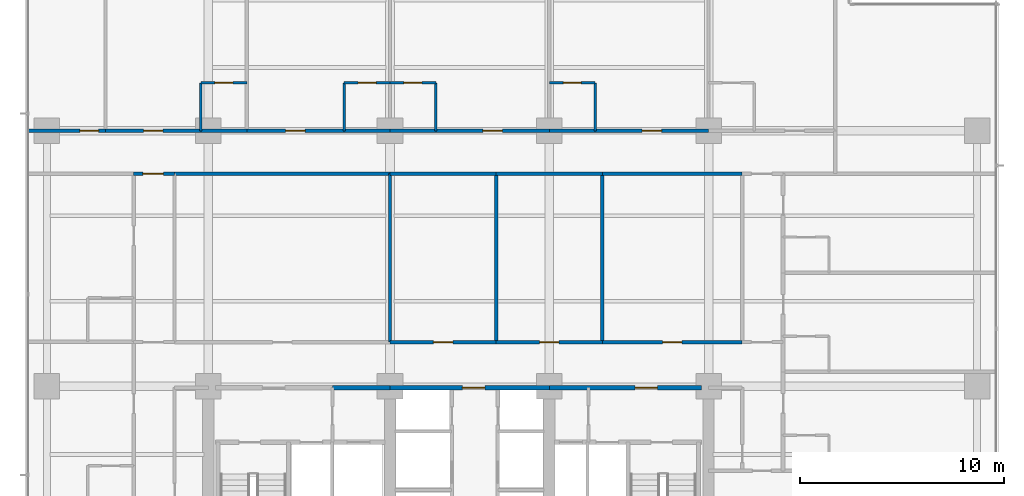
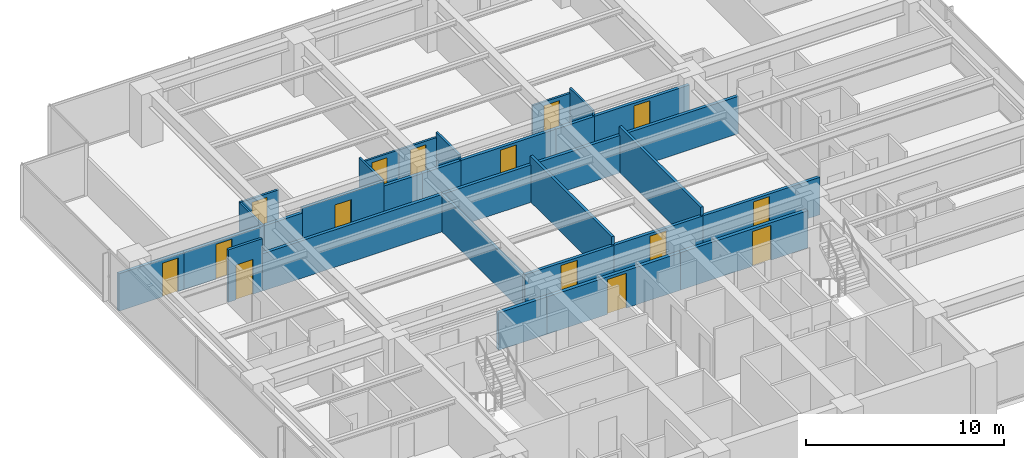
# One storey, part 10 of 17: 31 walls, 15 doors, 15 openings.
"""IFC4 building model written with IfcOpenShell, lengths in metres."""

import ifcopenshell
import ifcopenshell.guid

model = None  # the IFC model being written
_history = None  # IfcOwnerHistory: only IFC2X3 demands one
_inside = {}  # id of a spatial element -> (the spatial element, [elements in it])
_under = {}  # id of a project, library or spatial element -> (it, [spatial elements below it])
_declared = {}  # id of a project -> (the project, [libraries it declares])
_typed = {}  # id of a type object -> (the type object, [elements of that type])
_made_of = {}  # id of a material, layer set ... -> (it, [elements and type objects made of it])


def new_model(schema):
    """Start an empty IFC model of exactly this schema.

    Asked for "IFC4X3", IfcOpenShell would pick the latest addendum, in which some entities
    have other attributes; the version numbers below select the first issue.
    IFC2X3 requires an IfcOwnerHistory on every rooted entity: one is made here for all.
    """
    global model, _history
    if schema == "IFC4X3":
        model = ifcopenshell.file(schema_version=(4, 3, 0, 0))
    else:
        model = ifcopenshell.file(schema=schema)
    _inside.clear()
    _under.clear()
    _declared.clear()
    _typed.clear()
    _made_of.clear()
    _history = None
    if model.schema == "IFC2X3":
        org = make("IfcOrganization", Name="unknown")
        user = make(
            "IfcPersonAndOrganization",
            ThePerson=make("IfcPerson", FamilyName="unknown"),
            TheOrganization=org,
        )
        app = make(
            "IfcApplication",
            ApplicationDeveloper=org,
            Version="unknown",
            ApplicationFullName="unknown",
            ApplicationIdentifier="unknown",
        )
        _history = make(
            "IfcOwnerHistory",
            OwningUser=user,
            OwningApplication=app,
            ChangeAction="ADDED",
            CreationDate=0,
        )
    return model


def make(cls, **values):
    """One entity of the class cls with the attributes given. An attribute that is None is left unset."""
    return model.create_entity(
        cls, **{name: value for name, value in values.items() if value is not None}
    )


def rooted(cls, **values):
    """An entity with a GlobalId (a new one), such as an element, a storey or a relation."""
    return make(cls, GlobalId=ifcopenshell.guid.new(), OwnerHistory=_history, **values)


def si_unit(unit_type, name, prefix=None):
    """IfcSIUnit, for example si_unit("LENGTHUNIT", "METRE", prefix="MILLI")."""
    return make("IfcSIUnit", UnitType=unit_type, Prefix=prefix, Name=name)


def assignment(units):
    """IfcUnitAssignment: the units of a project."""
    return None if units is None else make("IfcUnitAssignment", Units=units)


def point(xyz):
    """IfcCartesianPoint."""
    return None if xyz is None else make("IfcCartesianPoint", Coordinates=xyz)


def direction(xyz):
    """IfcDirection."""
    return None if xyz is None else make("IfcDirection", DirectionRatios=xyz)


def frame(location, z_axis=None, x_axis=None):
    """IfcAxis2Placement3D, a coordinate frame: its origin and axes. An axis left out is left unset."""
    return make(
        "IfcAxis2Placement3D",
        Location=point(location),
        Axis=direction(z_axis),
        RefDirection=direction(x_axis),
    )


def frame_2d(location, x_axis=None):
    """IfcAxis2Placement2D, a coordinate frame in the plane: its origin and x axis."""
    return make(
        "IfcAxis2Placement2D", Location=point(location), RefDirection=direction(x_axis)
    )


def origin():
    """The frame at (0, 0, 0) with its axes left unset."""
    return frame((0.0, 0.0, 0.0))


def place(relative_to, where):
    """IfcLocalPlacement: puts the frame where relative to a parent placement (None: the world)."""
    return make(
        "IfcLocalPlacement", PlacementRelTo=relative_to, RelativePlacement=where
    )


def context(
    kind, dimensions, precision=None, world=None, true_north=None, identifier=None
):
    """IfcGeometricRepresentationContext, for example the 3D "Model" context."""
    return make(
        "IfcGeometricRepresentationContext",
        ContextIdentifier=identifier,
        ContextType=kind,
        CoordinateSpaceDimension=dimensions,
        Precision=precision,
        WorldCoordinateSystem=world,
        TrueNorth=true_north,
    )


def subcontext(parent, identifier, kind, view, scale=None):
    """IfcGeometricRepresentationSubContext, for example "Body" below "Model"."""
    return make(
        "IfcGeometricRepresentationSubContext",
        ContextIdentifier=identifier,
        ContextType=kind,
        ParentContext=parent,
        TargetScale=scale,
        TargetView=view,
    )


def project(units=None, contexts=None):
    """IfcProject with its units and contexts."""
    return rooted(
        "IfcProject",
        Name="project",
        RepresentationContexts=contexts,
        UnitsInContext=assignment(units),
    )


def spatial(cls, under=None, at=None, **own):
    """A site, building, storey or space (cls), placed at a placement, below another one or the project."""
    s = rooted(cls, ObjectPlacement=at, **own)
    if under is not None:
        _under.setdefault(under.id(), (under, []))[1].append(s)
    return s


def profile(cls, at=None, kind="AREA", **sizes):
    """A parametric profile (cls). Its sizes go by their IFC names, for example OverallWidth=200.0."""
    return make(cls, ProfileType=kind, Position=at, **sizes)


def rectangle(**sizes):
    """IfcRectangleProfileDef."""
    return profile("IfcRectangleProfileDef", **sizes)


def extrude(swept, where, along, depth):
    """IfcExtrudedAreaSolid: the profile swept, set in the frame where, extruded along a direction by depth."""
    return make(
        "IfcExtrudedAreaSolid",
        SweptArea=swept,
        Position=where,
        ExtrudedDirection=direction(along),
        Depth=depth,
    )


def shape(context_of_items, identifier, shape_type, items):
    """IfcShapeRepresentation: the items that make up one representation, for example the "Body"."""
    return make(
        "IfcShapeRepresentation",
        ContextOfItems=context_of_items,
        RepresentationIdentifier=identifier,
        RepresentationType=shape_type,
        Items=items,
    )


def material(Name=None, Category=None):
    """IfcMaterial."""
    return make("IfcMaterial", Name=Name, Category=Category)


def layer(
    of_material, thickness, ventilated=None, Name=None, Category=None, Priority=None
):
    """IfcMaterialLayer: one layer of a wall or slab, of a material (None: an air gap)."""
    return make(
        "IfcMaterialLayer",
        Material=of_material,
        LayerThickness=thickness,
        IsVentilated=ventilated,
        Name=Name,
        Category=Category,
        Priority=Priority,
    )


def layer_set(layers, Name=None):
    """IfcMaterialLayerSet."""
    return make("IfcMaterialLayerSet", MaterialLayers=layers, LayerSetName=Name)


def made_of(thing, what):
    """Note that an element or type object is made of a material, layer set ...; save() writes the relation."""
    if what is not None:
        _made_of.setdefault(what.id(), (what, []))[1].append(thing)
    return thing


def type_object(cls, material=None, **own):
    """A type object (cls), such as IfcWallType, which elements share."""
    return made_of(rooted(cls, **own), material)


def element(
    cls,
    number,
    at=None,
    inside=None,
    cuts=None,
    type_object=None,
    material=None,
    context=None,
    identifier="Body",
    shape_type=None,
    held_by="IfcProductDefinitionShape",
    body=None,
    shapes=None,
    **own,
):
    """One element of the class cls, such as IfcWall. Its Tag is "e" and its number.

    at: its placement. inside: the storey or other place that contains it. cuts: it is an
    opening in that element (IfcRelVoidsElement). A single representation is given by context,
    identifier, shape_type and body (its items); several are given by shapes. held_by: the class
    of the entity that holds the representations. save() writes the other relations.
    """
    e = rooted(cls, Tag="e%d" % number, ObjectPlacement=at, **own)
    if body is not None:
        shapes = [shape(context, identifier, shape_type, body)]
    if shapes is not None:
        e.Representation = make(held_by, Representations=shapes)
    if inside is not None:
        _inside.setdefault(inside.id(), (inside, []))[1].append(e)
    if cuts is not None:
        rooted(
            "IfcRelVoidsElement", RelatingBuildingElement=cuts, RelatedOpeningElement=e
        )
    if type_object is not None:
        _typed.setdefault(type_object.id(), (type_object, []))[1].append(e)
    return made_of(e, material)


def fill(opening, filler):
    """IfcRelFillsElement: the door or window that sits in an opening."""
    return rooted(
        "IfcRelFillsElement",
        RelatingOpeningElement=opening,
        RelatedBuildingElement=filler,
    )


def aggregate(whole, parts):
    """IfcRelAggregates: a whole, such as a stair, and the parts it consists of."""
    return rooted("IfcRelAggregates", RelatingObject=whole, RelatedObjects=parts)


def save(model, path):
    """Write the relations noted so far, then the file.

    IfcRelAggregates (storeys below a building ...), IfcRelContainedInSpatialStructure (elements
    in a storey), IfcRelDefinesByType, IfcRelAssociatesMaterial and IfcRelDeclares: one each for
    every whole, place, type object, material and project.
    """
    for whole, parts in _under.values():
        aggregate(whole, parts)
    for where, things in _inside.values():
        rooted(
            "IfcRelContainedInSpatialStructure",
            RelatedElements=things,
            RelatingStructure=where,
        )
    for kind, things in _typed.values():
        rooted("IfcRelDefinesByType", RelatedObjects=things, RelatingType=kind)
    for what, things in _made_of.values():
        rooted("IfcRelAssociatesMaterial", RelatedObjects=things, RelatingMaterial=what)
    for by, libraries in _declared.values():
        rooted("IfcRelDeclares", RelatingContext=by, RelatedDefinitions=libraries)
    model.write(path)


model = new_model("IFC4")

# Units and contexts
model_context = context("Model", 3, precision=1e-05, world=origin(), true_north=direction((0.0, 1.0)))
body_context = subcontext(model_context, "Body", "Model", "MODEL_VIEW")
ifc_project = project(units=[si_unit("LENGTHUNIT", "METRE"), si_unit("AREAUNIT", "SQUARE_METRE"), si_unit("VOLUMEUNIT", "CUBIC_METRE"), si_unit("PLANEANGLEUNIT", "RADIAN"), si_unit("MASSUNIT", "GRAM", prefix="KILO")], contexts=[model_context])

# Site, building, storey
site_placement = place(None, origin())
site = spatial("IfcSite", under=ifc_project, at=site_placement, CompositionType="ELEMENT")
building_placement = place(site_placement, origin())
building = spatial("IfcBuilding", under=site, at=building_placement, Name="Qalmaran Belvedere Hotel", CompositionType="ELEMENT")
storey_placement = place(building_placement, frame((0.0, 0.0, 88.199951171875)))
storey = spatial("IfcBuildingStorey", under=building, at=storey_placement, Name="L21", CompositionType="ELEMENT", Elevation=88.199951171875)

# Wall, opening, door
ifc_material_1 = material(Name="Moisture-Resistant Gypsum")
ifc_layer_1 = layer(ifc_material_1, 0.1201171875, Name="Moisture-Resistant Gypsum")
ifc_layer_set_1 = layer_set([ifc_layer_1], Name="Moisture-Resistant Gypsum")
wall_type_1 = type_object("IfcWallType", Name="WL-INT-120-BATH", PredefinedType="PARTITIONING", material=ifc_layer_set_1)
wall_1_placement = place(storey_placement, frame((19.93798828125, 35.35009765625, 0.0), z_axis=(0.0, 0.0, 1.0), x_axis=(1.0, 0.0, 0.0)))
wall_1 = element("IfcWall", 1, at=wall_1_placement, inside=storey, type_object=wall_type_1, Name="L21 Partition WL-L21-NBN00", PredefinedType="PARTITIONING", context=body_context, shape_type="SweptSolid", body=[
    extrude(rectangle(XDim=2.25, YDim=0.1201171875, at=frame_2d((1.125, 0.0))), origin(), (0.0, 0.0, 1.0), 2.31298828125),
])
opening_1_placement = place(wall_1_placement, frame((1.56494140625, 0.0, 0.0), z_axis=(0.0, 0.0, 1.0), x_axis=(-1.0, 0.0, 0.0)))
opening_1 = element("IfcOpeningElement", 2, at=opening_1_placement, cuts=wall_1, Name="Opening D-BATH", PredefinedType="OPENING", context=body_context, shape_type="SweptSolid", body=[
    extrude(rectangle(XDim=0.8798828125, YDim=2.080078125, at=frame_2d((0.43994140625, 1.0400390625))), frame((0.0, 0.070068359375, 0.0), z_axis=(0.0, -1.0, 0.0), x_axis=(1.0, 0.0, 0.0)), (0.0, 0.0, 1.0), 0.14013671875),
])
ifc_material_2 = material(Name="Engineered Oak Veneer")
door_type_1 = type_object("IfcDoorType", Name="DR-INT-BATH-880X2080", OperationType="NOTDEFINED", PredefinedType="DOOR", material=ifc_material_2)
door_1_placement = place(opening_1_placement, origin())
door_1 = element("IfcDoor", 3, at=door_1_placement, inside=storey, type_object=door_type_1, Name="L21 Ensuite Bathroom Door N01", OperationType="SINGLE_SWING_LEFT", OverallHeight=2.080078125, OverallWidth=0.8798828125, PredefinedType="DOOR", context=body_context, shape_type="SweptSolid", body=[
    extrude(rectangle(XDim=0.8798828125, YDim=2.080078125, at=frame_2d((0.43994140625, 1.0400390625))), frame((0.0, 0.02490234375, 0.0), z_axis=(0.0, -1.0, 0.0), x_axis=(1.0, 0.0, 0.0)), (0.0, 0.0, 1.0), 0.050048828125),
])
fill(opening_1, door_1)

# Wall
wall_2_placement = place(storey_placement, frame((19.93798828125, 33.0, 0.0), z_axis=(0.0, 0.0, 1.0), x_axis=(0.0, 1.0, 0.0)))
element("IfcWall", 4, at=wall_2_placement, inside=storey, type_object=wall_type_1, Name="L21 Partition WL-L21-NBS00", PredefinedType="PARTITIONING", context=body_context, shape_type="SweptSolid", body=[
    extrude(rectangle(XDim=2.35009765625, YDim=0.1201171875, at=frame_2d((1.175048828125, 0.0))), origin(), (0.0, 0.0, 1.0), 2.31298828125),
])

# Wall, opening, door
wall_3_placement = place(storey_placement, frame((26.949951171875, 35.35009765625, 0.0), z_axis=(0.0, 0.0, 1.0), x_axis=(1.0, 0.0, 0.0)))
wall_3 = element("IfcWall", 5, at=wall_3_placement, inside=storey, type_object=wall_type_1, Name="L21 Partition WL-L21-NBN01", PredefinedType="PARTITIONING", context=body_context, shape_type="SweptSolid", body=[
    extrude(rectangle(XDim=2.25, YDim=0.1201171875, at=frame_2d((1.125, 0.0))), origin(), (0.0, 0.0, 1.0), 2.31298828125),
])
opening_2_placement = place(wall_3_placement, frame((1.56494140625, 0.0, 0.0), z_axis=(0.0, 0.0, 1.0), x_axis=(-1.0, 0.0, 0.0)))
opening_2 = element("IfcOpeningElement", 6, at=opening_2_placement, cuts=wall_3, Name="Opening D-BATH", PredefinedType="OPENING", context=body_context, shape_type="SweptSolid", body=[
    extrude(rectangle(XDim=0.8798828125, YDim=2.080078125, at=frame_2d((0.43994140625, 1.0400390625))), frame((0.0, 0.070068359375, 0.0), z_axis=(0.0, -1.0, 0.0), x_axis=(1.0, 0.0, 0.0)), (0.0, 0.0, 1.0), 0.14013671875),
])
door_2_placement = place(opening_2_placement, origin())
door_2 = element("IfcDoor", 7, at=door_2_placement, inside=storey, type_object=door_type_1, Name="L21 Ensuite Bathroom Door N02", OperationType="SINGLE_SWING_LEFT", OverallHeight=2.080078125, OverallWidth=0.8798828125, PredefinedType="DOOR", context=body_context, shape_type="SweptSolid", body=[
    extrude(rectangle(XDim=0.8798828125, YDim=2.080078125, at=frame_2d((0.43994140625, 1.0400390625))), frame((0.0, 0.02490234375, 0.0), z_axis=(0.0, -1.0, 0.0), x_axis=(1.0, 0.0, 0.0)), (0.0, 0.0, 1.0), 0.050048828125),
])
fill(opening_2, door_2)

# Wall
wall_4_placement = place(storey_placement, frame((26.949951171875, 33.0, 0.0), z_axis=(0.0, 0.0, 1.0), x_axis=(0.0, 1.0, 0.0)))
element("IfcWall", 8, at=wall_4_placement, inside=storey, type_object=wall_type_1, Name="L21 Partition WL-L21-NBS01", PredefinedType="PARTITIONING", context=body_context, shape_type="SweptSolid", body=[
    extrude(rectangle(XDim=2.35009765625, YDim=0.1201171875, at=frame_2d((1.175048828125, 0.0))), origin(), (0.0, 0.0, 1.0), 2.614013671875),
])

# Wall, opening, door
wall_5_placement = place(storey_placement, frame((29.199951171875, 35.35009765625, 0.0), z_axis=(0.0, 0.0, 1.0), x_axis=(1.0, 0.0, 0.0)))
wall_5 = element("IfcWall", 9, at=wall_5_placement, inside=storey, type_object=wall_type_1, Name="L21 Partition WL-L21-NBN02", PredefinedType="PARTITIONING", context=body_context, shape_type="SweptSolid", body=[
    extrude(rectangle(XDim=2.25, YDim=0.1201171875, at=frame_2d((1.125, 0.0))), origin(), (0.0, 0.0, 1.0), 2.31298828125),
])
opening_3_placement = place(wall_5_placement, frame((1.56494140625, 0.0, 0.0), z_axis=(0.0, 0.0, 1.0), x_axis=(-1.0, 0.0, 0.0)))
opening_3 = element("IfcOpeningElement", 10, at=opening_3_placement, cuts=wall_5, Name="Opening D-BATH", PredefinedType="OPENING", context=body_context, shape_type="SweptSolid", body=[
    extrude(rectangle(XDim=0.8798828125, YDim=2.080078125, at=frame_2d((0.43994140625, 1.0400390625))), frame((0.0, 0.070068359375, 0.0), z_axis=(0.0, -1.0, 0.0), x_axis=(1.0, 0.0, 0.0)), (0.0, 0.0, 1.0), 0.14013671875),
])
door_3_placement = place(opening_3_placement, origin())
door_3 = element("IfcDoor", 11, at=door_3_placement, inside=storey, type_object=door_type_1, Name="L21 Ensuite Bathroom Door N03", OperationType="SINGLE_SWING_LEFT", OverallHeight=2.080078125, OverallWidth=0.8798828125, PredefinedType="DOOR", context=body_context, shape_type="SweptSolid", body=[
    extrude(rectangle(XDim=0.8798828125, YDim=2.080078125, at=frame_2d((0.43994140625, 1.0400390625))), frame((0.0, 0.02490234375, 0.0), z_axis=(0.0, -1.0, 0.0), x_axis=(1.0, 0.0, 0.0)), (0.0, 0.0, 1.0), 0.050048828125),
])
fill(opening_3, door_3)

# Wall
wall_6_placement = place(storey_placement, frame((31.449951171875, 33.0, 0.0), z_axis=(0.0, 0.0, 1.0), x_axis=(0.0, 1.0, 0.0)))
element("IfcWall", 12, at=wall_6_placement, inside=storey, type_object=wall_type_1, Name="L21 Partition WL-L21-NBS02", PredefinedType="PARTITIONING", context=body_context, shape_type="SweptSolid", body=[
    extrude(rectangle(XDim=2.35009765625, YDim=0.1201171875, at=frame_2d((1.175048828125, 0.0))), origin(), (0.0, 0.0, 1.0), 2.614013671875),
])

# Wall, opening, door
wall_7_placement = place(storey_placement, frame((37.0, 35.35009765625, 0.0), z_axis=(0.0, 0.0, 1.0), x_axis=(1.0, 0.0, 0.0)))
wall_7 = element("IfcWall", 13, at=wall_7_placement, inside=storey, type_object=wall_type_1, Name="L21 Partition WL-L21-NBN03", PredefinedType="PARTITIONING", context=body_context, shape_type="SweptSolid", body=[
    extrude(rectangle(XDim=2.25, YDim=0.1201171875, at=frame_2d((1.125, 0.0))), origin(), (0.0, 0.0, 1.0), 2.31298828125),
])
opening_4_placement = place(wall_7_placement, frame((1.56494140625, 0.0, 0.0), z_axis=(0.0, 0.0, 1.0), x_axis=(-1.0, 0.0, 0.0)))
opening_4 = element("IfcOpeningElement", 14, at=opening_4_placement, cuts=wall_7, Name="Opening D-BATH", PredefinedType="OPENING", context=body_context, shape_type="SweptSolid", body=[
    extrude(rectangle(XDim=0.8798828125, YDim=2.080078125, at=frame_2d((0.43994140625, 1.0400390625))), frame((0.0, 0.070068359375, 0.0), z_axis=(0.0, -1.0, 0.0), x_axis=(1.0, 0.0, 0.0)), (0.0, 0.0, 1.0), 0.14013671875),
])
door_4_placement = place(opening_4_placement, origin())
door_4 = element("IfcDoor", 15, at=door_4_placement, inside=storey, type_object=door_type_1, Name="L21 Ensuite Bathroom Door N04", OperationType="SINGLE_SWING_LEFT", OverallHeight=2.080078125, OverallWidth=0.8798828125, PredefinedType="DOOR", context=body_context, shape_type="SweptSolid", body=[
    extrude(rectangle(XDim=0.8798828125, YDim=2.080078125, at=frame_2d((0.43994140625, 1.0400390625))), frame((0.0, 0.02490234375, 0.0), z_axis=(0.0, -1.0, 0.0), x_axis=(1.0, 0.0, 0.0)), (0.0, 0.0, 1.0), 0.050048828125),
])
fill(opening_4, door_4)

# Wall
wall_8_placement = place(storey_placement, frame((39.25, 33.0, 0.0), z_axis=(0.0, 0.0, 1.0), x_axis=(0.0, 1.0, 0.0)))
element("IfcWall", 16, at=wall_8_placement, inside=storey, type_object=wall_type_1, Name="L21 Partition WL-L21-NBS03", PredefinedType="PARTITIONING", context=body_context, shape_type="SweptSolid", body=[
    extrude(rectangle(XDim=2.35009765625, YDim=0.1201171875, at=frame_2d((1.175048828125, 0.0))), origin(), (0.0, 0.0, 1.0), 2.614013671875),
])

# Wall, opening, door
ifc_material_3 = material(Name="Gypsum Stud Partition")
ifc_layer_2 = layer(ifc_material_3, 0.14990234375, Name="Gypsum Stud Partition")
ifc_layer_set_2 = layer_set([ifc_layer_2], Name="Gypsum Stud Partition")
wall_type_2 = type_object("IfcWallType", Name="WL-INT-150-EI60", PredefinedType="PARTITIONING", material=ifc_layer_set_2)
wall_9_placement = place(storey_placement, frame((16.64990234375, 30.89990234375, 0.0), z_axis=(0.0, 0.0, 1.0), x_axis=(1.0, 0.0, 0.0)))
wall_9 = element("IfcWall", 17, at=wall_9_placement, inside=storey, type_object=wall_type_2, Name="L21 Partition WL-L21-XCW2", PredefinedType="PARTITIONING", context=body_context, shape_type="SweptSolid", body=[
    extrude(rectangle(XDim=2.0, YDim=0.14990234375, at=frame_2d((1.0, 0.0))), origin(), (0.0, 0.0, 1.0), 3.239990234375),
])
opening_5_placement = place(wall_9_placement, frame((0.449951171875, 0.0, 0.0)))
opening_5 = element("IfcOpeningElement", 18, at=opening_5_placement, cuts=wall_9, Name="Opening FD90B", PredefinedType="OPENING", context=body_context, shape_type="SweptSolid", body=[
    extrude(rectangle(XDim=1.0, YDim=2.14990234375, at=frame_2d((0.5, 1.074951171875))), frame((0.0, 0.0849609375, 0.0), z_axis=(0.0, -1.0, 0.0), x_axis=(1.0, 0.0, 0.0)), (0.0, 0.0, 1.0), 0.169921875),
])
ifc_material_4 = material(Name="Steel S355JR", Category="steel")
door_type_2 = type_object("IfcDoorType", Name="DR-FD90B-1000X2150", OperationType="NOTDEFINED", PredefinedType="DOOR", material=ifc_material_4)
door_5_placement = place(opening_5_placement, origin())
door_5 = element("IfcDoor", 19, at=door_5_placement, inside=storey, type_object=door_type_2, Name="L21 West Corridor Smoke Door N", OperationType="SINGLE_SWING_RIGHT", OverallHeight=2.14990234375, OverallWidth=1.0, PredefinedType="DOOR", context=body_context, shape_type="SweptSolid", body=[
    extrude(rectangle(XDim=1.0, YDim=2.14990234375, at=frame_2d((0.5, 1.074951171875))), frame((0.0, 0.02490234375, 0.0), z_axis=(0.0, -1.0, 0.0), x_axis=(1.0, 0.0, 0.0)), (0.0, 0.0, 1.0), 0.050048828125),
])
fill(opening_5, door_5)

# Walls
ifc_layer_3 = layer(ifc_material_3, 0.159912109375, Name="Gypsum Stud Partition")
ifc_layer_set_3 = layer_set([ifc_layer_3], Name="Gypsum Stud Partition")
wall_type_3 = type_object("IfcWallType", Name="WL-INT-160-EI60", PredefinedType="PARTITIONING", material=ifc_layer_set_3)
wall_10_placement = place(storey_placement, frame((29.199951171875, 22.64990234375, 0.0), z_axis=(0.0, 0.0, 1.0), x_axis=(0.0, 1.0, 0.0)))
element("IfcWall", 20, at=wall_10_placement, inside=storey, type_object=wall_type_3, Name="L21 Partition WL-L21-MIDVR1", PredefinedType="PARTITIONING", context=body_context, shape_type="SweptSolid", body=[
    extrude(rectangle(XDim=8.25, YDim=0.159912109375, at=frame_2d((4.125, 0.0))), origin(), (0.0, 0.0, 1.0), 2.31298828125),
])
for number, where, z_axis, x_axis, name in (
    (21, (34.39990234375, 22.64990234375, 0.0), (0.0, 0.0, 1.0), (0.0, 1.0, 0.0), "L21 Partition WL-L21-MIDVR2"),
    (22, (39.60009765625, 22.64990234375, 0.0), (0.0, 0.0, 1.0), (0.0, 1.0, 0.0), "L21 Partition WL-L21-MIDVR3"),
):
    element("IfcWall", number, at=place(storey_placement, frame(where, z_axis=z_axis, x_axis=x_axis)), inside=storey, type_object=wall_type_3, Name=name, PredefinedType="PARTITIONING", context=body_context, shape_type="SweptSolid", body=[
        extrude(rectangle(XDim=8.25, YDim=0.159912109375, at=frame_2d((4.125, 0.0))), origin(), (0.0, 0.0, 1.0), 2.818115234375),
    ])
ifc_layer_4 = layer(ifc_material_3, 0.179931640625, Name="Gypsum Stud Partition")
ifc_layer_set_4 = layer_set([ifc_layer_4], Name="Gypsum Stud Partition")
wall_type_4 = type_object("IfcWallType", Name="WL-INT-180-EI60", PredefinedType="PARTITIONING", material=ifc_layer_set_4)
wall_11_placement = place(storey_placement, frame((18.64990234375, 30.89990234375, 0.0), z_axis=(0.0, 0.0, 1.0), x_axis=(1.0, 0.0, 0.0)))
element("IfcWall", 23, at=wall_11_placement, inside=storey, type_object=wall_type_4, Name="L21 Partition WL-L21-MIDO1", PredefinedType="PARTITIONING", context=body_context, shape_type="SweptSolid", body=[
    extrude(rectangle(XDim=10.550048828125, YDim=0.179931640625, at=frame_2d((5.27490234375, 0.0))), origin(), (0.0, 0.0, 1.0), 2.31298828125),
])

# Wall, opening, door
wall_12_placement = place(storey_placement, frame((29.199951171875, 22.64990234375, 0.0), z_axis=(0.0, 0.0, 1.0), x_axis=(1.0, 0.0, 0.0)))
wall_12 = element("IfcWall", 24, at=wall_12_placement, inside=storey, type_object=wall_type_4, Name="L21 Partition WL-L21-MIDD2", PredefinedType="PARTITIONING", context=body_context, shape_type="SweptSolid", body=[
    extrude(rectangle(XDim=5.199951171875, YDim=0.179931640625, at=frame_2d((2.60009765625, 0.0))), origin(), (0.0, 0.0, 1.0), 2.31298828125),
])
opening_6_placement = place(wall_12_placement, frame((2.125, 0.0, 0.0)))
opening_6 = element("IfcOpeningElement", 25, at=opening_6_placement, cuts=wall_12, Name="Opening FD60", PredefinedType="OPENING", context=body_context, shape_type="SweptSolid", body=[
    extrude(rectangle(XDim=0.949951171875, YDim=2.14990234375, at=frame_2d((0.47509765625, 1.074951171875))), frame((0.0, 0.10009765625, 0.0), z_axis=(0.0, -1.0, 0.0), x_axis=(1.0, 0.0, 0.0)), (0.0, 0.0, 1.0), 0.199951171875),
])
door_type_3 = type_object("IfcDoorType", Name="DR-FD60-950X2150", OperationType="NOTDEFINED", PredefinedType="DOOR", material=ifc_material_2)
door_6_placement = place(opening_6_placement, origin())
door_6 = element("IfcDoor", 26, at=door_6_placement, inside=storey, type_object=door_type_3, Name="L21 Wellness Spa Door", OperationType="SINGLE_SWING_RIGHT", OverallHeight=2.14990234375, OverallWidth=0.949951171875, PredefinedType="DOOR", context=body_context, shape_type="SweptSolid", body=[
    extrude(rectangle(XDim=0.949951171875, YDim=2.14990234375, at=frame_2d((0.47509765625, 1.074951171875))), frame((0.0, 0.02490234375, 0.0), z_axis=(0.0, -1.0, 0.0), x_axis=(1.0, 0.0, 0.0)), (0.0, 0.0, 1.0), 0.050048828125),
])
fill(opening_6, door_6)

# Wall
wall_13_placement = place(storey_placement, frame((29.199951171875, 30.89990234375, 0.0), z_axis=(0.0, 0.0, 1.0), x_axis=(1.0, 0.0, 0.0)))
element("IfcWall", 27, at=wall_13_placement, inside=storey, type_object=wall_type_4, Name="L21 Partition WL-L21-MIDO2", PredefinedType="PARTITIONING", context=body_context, shape_type="SweptSolid", body=[
    extrude(rectangle(XDim=5.199951171875, YDim=0.179931640625, at=frame_2d((2.60009765625, 0.0))), origin(), (0.0, 0.0, 1.0), 2.31298828125),
])

# Wall, opening, door
wall_14_placement = place(storey_placement, frame((34.39990234375, 22.64990234375, 0.0), z_axis=(0.0, 0.0, 1.0), x_axis=(1.0, 0.0, 0.0)))
wall_14 = element("IfcWall", 28, at=wall_14_placement, inside=storey, type_object=wall_type_4, Name="L21 Partition WL-L21-MIDD3", PredefinedType="PARTITIONING", context=body_context, shape_type="SweptSolid", body=[
    extrude(rectangle(XDim=5.2001953125, YDim=0.179931640625, at=frame_2d((2.60009765625, 0.0))), origin(), (0.0, 0.0, 1.0), 2.31298828125),
])
opening_7_placement = place(wall_14_placement, frame((2.125, 0.0, 0.0)))
opening_7 = element("IfcOpeningElement", 29, at=opening_7_placement, cuts=wall_14, Name="Opening FD60", PredefinedType="OPENING", context=body_context, shape_type="SweptSolid", body=[
    extrude(rectangle(XDim=0.949951171875, YDim=2.14990234375, at=frame_2d((0.47509765625, 1.074951171875))), frame((0.0, 0.10009765625, 0.0), z_axis=(0.0, -1.0, 0.0), x_axis=(1.0, 0.0, 0.0)), (0.0, 0.0, 1.0), 0.199951171875),
])
door_7_placement = place(opening_7_placement, origin())
door_7 = element("IfcDoor", 30, at=door_7_placement, inside=storey, type_object=door_type_3, Name="L21 Fitness Studio Door", OperationType="SINGLE_SWING_LEFT", OverallHeight=2.14990234375, OverallWidth=0.949951171875, PredefinedType="DOOR", context=body_context, shape_type="SweptSolid", body=[
    extrude(rectangle(XDim=0.949951171875, YDim=2.14990234375, at=frame_2d((0.47509765625, 1.074951171875))), frame((0.0, 0.02490234375, 0.0), z_axis=(0.0, -1.0, 0.0), x_axis=(1.0, 0.0, 0.0)), (0.0, 0.0, 1.0), 0.050048828125),
])
fill(opening_7, door_7)

# Wall
wall_15_placement = place(storey_placement, frame((34.39990234375, 30.89990234375, 0.0), z_axis=(0.0, 0.0, 1.0), x_axis=(1.0, 0.0, 0.0)))
element("IfcWall", 31, at=wall_15_placement, inside=storey, type_object=wall_type_4, Name="L21 Partition WL-L21-MIDO3", PredefinedType="PARTITIONING", context=body_context, shape_type="SweptSolid", body=[
    extrude(rectangle(XDim=5.2001953125, YDim=0.179931640625, at=frame_2d((2.60009765625, 0.0))), origin(), (0.0, 0.0, 1.0), 2.31298828125),
])

# Wall, opening, door
wall_16_placement = place(storey_placement, frame((39.60009765625, 22.64990234375, 0.0), z_axis=(0.0, 0.0, 1.0), x_axis=(1.0, 0.0, 0.0)))
wall_16 = element("IfcWall", 32, at=wall_16_placement, inside=storey, type_object=wall_type_4, Name="L21 Partition WL-L21-MIDD4", PredefinedType="PARTITIONING", context=body_context, shape_type="SweptSolid", body=[
    extrude(rectangle(XDim=6.849853515625, YDim=0.179931640625, at=frame_2d((3.4248046875, 0.0))), origin(), (0.0, 0.0, 1.0), 2.31298828125),
])
opening_8_placement = place(wall_16_placement, frame((2.949951171875, 0.0, 0.0)))
opening_8 = element("IfcOpeningElement", 33, at=opening_8_placement, cuts=wall_16, Name="Opening FD60", PredefinedType="OPENING", context=body_context, shape_type="SweptSolid", body=[
    extrude(rectangle(XDim=0.949951171875, YDim=2.14990234375, at=frame_2d((0.47509765625, 1.074951171875))), frame((0.0, 0.10009765625, 0.0), z_axis=(0.0, -1.0, 0.0), x_axis=(1.0, 0.0, 0.0)), (0.0, 0.0, 1.0), 0.199951171875),
])
door_8_placement = place(opening_8_placement, origin())
door_8 = element("IfcDoor", 34, at=door_8_placement, inside=storey, type_object=door_type_3, Name="L21 Meditation Spa Door", OperationType="SINGLE_SWING_RIGHT", OverallHeight=2.14990234375, OverallWidth=0.949951171875, PredefinedType="DOOR", context=body_context, shape_type="SweptSolid", body=[
    extrude(rectangle(XDim=0.949951171875, YDim=2.14990234375, at=frame_2d((0.47509765625, 1.074951171875))), frame((0.0, 0.02490234375, 0.0), z_axis=(0.0, -1.0, 0.0), x_axis=(1.0, 0.0, 0.0)), (0.0, 0.0, 1.0), 0.050048828125),
])
fill(opening_8, door_8)

# Walls
wall_17_placement = place(storey_placement, frame((39.60009765625, 30.89990234375, 0.0), z_axis=(0.0, 0.0, 1.0), x_axis=(1.0, 0.0, 0.0)))
element("IfcWall", 35, at=wall_17_placement, inside=storey, type_object=wall_type_4, Name="L21 Partition WL-L21-MIDO4", PredefinedType="PARTITIONING", context=body_context, shape_type="SweptSolid", body=[
    extrude(rectangle(XDim=6.849853515625, YDim=0.179931640625, at=frame_2d((3.4248046875, 0.0))), origin(), (0.0, 0.0, 1.0), 2.31298828125),
])
wall_18_placement = place(storey_placement, frame((19.93798828125, 33.0, 0.0), z_axis=(0.0, 0.0, 1.0), x_axis=(1.0, 0.0, 0.0)))
element("IfcWall", 36, at=wall_18_placement, inside=storey, type_object=wall_type_4, Name="L21 Partition WL-L21-NBC00", PredefinedType="PARTITIONING", context=body_context, shape_type="SweptSolid", body=[
    extrude(rectangle(XDim=2.25, YDim=0.179931640625, at=frame_2d((1.125, 0.0))), origin(), (0.0, 0.0, 1.0), 2.31298828125),
])

# Wall, opening, door
wall_19_placement = place(storey_placement, frame((15.27001953125, 33.0, 0.0), z_axis=(0.0, 0.0, 1.0), x_axis=(1.0, 0.0, 0.0)))
wall_19 = element("IfcWall", 37, at=wall_19_placement, inside=storey, type_object=wall_type_4, Name="L21 Partition WL-L21-NEC00", PredefinedType="PARTITIONING", context=body_context, shape_type="SweptSolid", body=[
    extrude(rectangle(XDim=4.66796875, YDim=0.179931640625, at=frame_2d((2.333984375, 0.0))), origin(), (0.0, 0.0, 1.0), 2.31298828125),
])
opening_9_placement = place(wall_19_placement, frame((1.85888671875, 0.0, 0.0)))
opening_9 = element("IfcOpeningElement", 38, at=opening_9_placement, cuts=wall_19, Name="Opening FD60", PredefinedType="OPENING", context=body_context, shape_type="SweptSolid", body=[
    extrude(rectangle(XDim=0.949951171875, YDim=2.14990234375, at=frame_2d((0.47509765625, 1.074951171875))), frame((0.0, 0.10009765625, 0.0), z_axis=(0.0, -1.0, 0.0), x_axis=(1.0, 0.0, 0.0)), (0.0, 0.0, 1.0), 0.199951171875),
])
door_9_placement = place(opening_9_placement, origin())
door_9 = element("IfcDoor", 39, at=door_9_placement, inside=storey, type_object=door_type_3, Name="L21 Guest Entrance Door N01", OperationType="SINGLE_SWING_RIGHT", OverallHeight=2.14990234375, OverallWidth=0.949951171875, PredefinedType="DOOR", context=body_context, shape_type="SweptSolid", body=[
    extrude(rectangle(XDim=0.949951171875, YDim=2.14990234375, at=frame_2d((0.47509765625, 1.074951171875))), frame((0.0, 0.02490234375, 0.0), z_axis=(0.0, -1.0, 0.0), x_axis=(1.0, 0.0, 0.0)), (0.0, 0.0, 1.0), 0.050048828125),
])
fill(opening_9, door_9)

# Wall
wall_20_placement = place(storey_placement, frame((26.949951171875, 33.0, 0.0), z_axis=(0.0, 0.0, 1.0), x_axis=(1.0, 0.0, 0.0)))
element("IfcWall", 40, at=wall_20_placement, inside=storey, type_object=wall_type_4, Name="L21 Partition WL-L21-NBC01", PredefinedType="PARTITIONING", context=body_context, shape_type="SweptSolid", body=[
    extrude(rectangle(XDim=2.25, YDim=0.179931640625, at=frame_2d((1.125, 0.0))), origin(), (0.0, 0.0, 1.0), 2.31298828125),
])

# Wall, opening, door
wall_21_placement = place(storey_placement, frame((22.18798828125, 33.0, 0.0), z_axis=(0.0, 0.0, 1.0), x_axis=(1.0, 0.0, 0.0)))
wall_21 = element("IfcWall", 41, at=wall_21_placement, inside=storey, type_object=wall_type_4, Name="L21 Partition WL-L21-NEC01", PredefinedType="PARTITIONING", context=body_context, shape_type="SweptSolid", body=[
    extrude(rectangle(XDim=4.761962890625, YDim=0.179931640625, at=frame_2d((2.380859375, 0.0))), origin(), (0.0, 0.0, 1.0), 2.614013671875),
])
opening_10_placement = place(wall_21_placement, frame((1.906005859375, 0.0, 0.0)))
opening_10 = element("IfcOpeningElement", 42, at=opening_10_placement, cuts=wall_21, Name="Opening FD60", PredefinedType="OPENING", context=body_context, shape_type="SweptSolid", body=[
    extrude(rectangle(XDim=0.949951171875, YDim=2.14990234375, at=frame_2d((0.47509765625, 1.074951171875))), frame((0.0, 0.10009765625, 0.0), z_axis=(0.0, -1.0, 0.0), x_axis=(1.0, 0.0, 0.0)), (0.0, 0.0, 1.0), 0.199951171875),
])
door_10_placement = place(opening_10_placement, origin())
door_10 = element("IfcDoor", 43, at=door_10_placement, inside=storey, type_object=door_type_3, Name="L21 Guest Entrance Door N02", OperationType="SINGLE_SWING_RIGHT", OverallHeight=2.14990234375, OverallWidth=0.949951171875, PredefinedType="DOOR", context=body_context, shape_type="SweptSolid", body=[
    extrude(rectangle(XDim=0.949951171875, YDim=2.14990234375, at=frame_2d((0.47509765625, 1.074951171875))), frame((0.0, 0.02490234375, 0.0), z_axis=(0.0, -1.0, 0.0), x_axis=(1.0, 0.0, 0.0)), (0.0, 0.0, 1.0), 0.050048828125),
])
fill(opening_10, door_10)

# Wall
wall_22_placement = place(storey_placement, frame((29.199951171875, 33.0, 0.0), z_axis=(0.0, 0.0, 1.0), x_axis=(1.0, 0.0, 0.0)))
element("IfcWall", 44, at=wall_22_placement, inside=storey, type_object=wall_type_4, Name="L21 Partition WL-L21-NBC02", PredefinedType="PARTITIONING", context=body_context, shape_type="SweptSolid", body=[
    extrude(rectangle(XDim=2.25, YDim=0.179931640625, at=frame_2d((1.125, 0.0))), origin(), (0.0, 0.0, 1.0), 2.31298828125),
])

# Wall, opening, door
wall_23_placement = place(storey_placement, frame((31.449951171875, 33.0, 0.0), z_axis=(0.0, 0.0, 1.0), x_axis=(1.0, 0.0, 0.0)))
wall_23 = element("IfcWall", 45, at=wall_23_placement, inside=storey, type_object=wall_type_4, Name="L21 Partition WL-L21-NEC02", PredefinedType="PARTITIONING", context=body_context, shape_type="SweptSolid", body=[
    extrude(rectangle(XDim=5.550048828125, YDim=0.179931640625, at=frame_2d((2.77490234375, 0.0))), origin(), (0.0, 0.0, 1.0), 2.31298828125),
])
opening_11_placement = place(wall_23_placement, frame((2.300048828125, 0.0, 0.0)))
opening_11 = element("IfcOpeningElement", 46, at=opening_11_placement, cuts=wall_23, Name="Opening FD60", PredefinedType="OPENING", context=body_context, shape_type="SweptSolid", body=[
    extrude(rectangle(XDim=0.949951171875, YDim=2.14990234375, at=frame_2d((0.47509765625, 1.074951171875))), frame((0.0, 0.10009765625, 0.0), z_axis=(0.0, -1.0, 0.0), x_axis=(1.0, 0.0, 0.0)), (0.0, 0.0, 1.0), 0.199951171875),
])
door_11_placement = place(opening_11_placement, origin())
door_11 = element("IfcDoor", 47, at=door_11_placement, inside=storey, type_object=door_type_3, Name="L21 Guest Entrance Door N03", OperationType="SINGLE_SWING_RIGHT", OverallHeight=2.14990234375, OverallWidth=0.949951171875, PredefinedType="DOOR", context=body_context, shape_type="SweptSolid", body=[
    extrude(rectangle(XDim=0.949951171875, YDim=2.14990234375, at=frame_2d((0.47509765625, 1.074951171875))), frame((0.0, 0.02490234375, 0.0), z_axis=(0.0, -1.0, 0.0), x_axis=(1.0, 0.0, 0.0)), (0.0, 0.0, 1.0), 0.050048828125),
])
fill(opening_11, door_11)

# Wall
wall_24_placement = place(storey_placement, frame((37.0, 33.0, 0.0), z_axis=(0.0, 0.0, 1.0), x_axis=(1.0, 0.0, 0.0)))
element("IfcWall", 48, at=wall_24_placement, inside=storey, type_object=wall_type_4, Name="L21 Partition WL-L21-NBC03", PredefinedType="PARTITIONING", context=body_context, shape_type="SweptSolid", body=[
    extrude(rectangle(XDim=2.25, YDim=0.179931640625, at=frame_2d((1.125, 0.0))), origin(), (0.0, 0.0, 1.0), 2.31298828125),
])

# Wall, opening, door
wall_25_placement = place(storey_placement, frame((39.25, 33.0, 0.0), z_axis=(0.0, 0.0, 1.0), x_axis=(1.0, 0.0, 0.0)))
wall_25 = element("IfcWall", 49, at=wall_25_placement, inside=storey, type_object=wall_type_4, Name="L21 Partition WL-L21-NEC03", PredefinedType="PARTITIONING", context=body_context, shape_type="SweptSolid", body=[
    extrude(rectangle(XDim=5.550048828125, YDim=0.179931640625, at=frame_2d((2.77490234375, 0.0))), origin(), (0.0, 0.0, 1.0), 2.31298828125),
])
opening_12_placement = place(wall_25_placement, frame((2.300048828125, 0.0, 0.0)))
opening_12 = element("IfcOpeningElement", 50, at=opening_12_placement, cuts=wall_25, Name="Opening FD60", PredefinedType="OPENING", context=body_context, shape_type="SweptSolid", body=[
    extrude(rectangle(XDim=0.949951171875, YDim=2.14990234375, at=frame_2d((0.47509765625, 1.074951171875))), frame((0.0, 0.10009765625, 0.0), z_axis=(0.0, -1.0, 0.0), x_axis=(1.0, 0.0, 0.0)), (0.0, 0.0, 1.0), 0.199951171875),
])
door_12_placement = place(opening_12_placement, origin())
door_12 = element("IfcDoor", 51, at=door_12_placement, inside=storey, type_object=door_type_3, Name="L21 Guest Entrance Door N04", OperationType="SINGLE_SWING_RIGHT", OverallHeight=2.14990234375, OverallWidth=0.949951171875, PredefinedType="DOOR", context=body_context, shape_type="SweptSolid", body=[
    extrude(rectangle(XDim=0.949951171875, YDim=2.14990234375, at=frame_2d((0.47509765625, 1.074951171875))), frame((0.0, 0.02490234375, 0.0), z_axis=(0.0, -1.0, 0.0), x_axis=(1.0, 0.0, 0.0)), (0.0, 0.0, 1.0), 0.050048828125),
])
fill(opening_12, door_12)

wall_26_placement = place(storey_placement, frame((11.469970703125, 33.0, 0.0), z_axis=(0.0, 0.0, 1.0), x_axis=(1.0, 0.0, 0.0)))
wall_26 = element("IfcWall", 52, at=wall_26_placement, inside=storey, type_object=wall_type_4, Name="L21 Partition WL-L21-NWSD", PredefinedType="PARTITIONING", context=body_context, shape_type="SweptSolid", body=[
    extrude(rectangle(XDim=3.800048828125, YDim=0.179931640625, at=frame_2d((1.89990234375, 0.0))), origin(), (0.0, 0.0, 1.0), 2.31298828125),
])
opening_13_placement = place(wall_26_placement, frame((2.543701171875, 0.0, 0.0)))
opening_13 = element("IfcOpeningElement", 53, at=opening_13_placement, cuts=wall_26, Name="Opening FD60S1", PredefinedType="OPENING", context=body_context, shape_type="SweptSolid", body=[
    extrude(rectangle(XDim=0.919921875, YDim=2.080078125, at=frame_2d((0.4599609375, 1.0400390625))), frame((0.0, 0.10009765625, 0.0), z_axis=(0.0, -1.0, 0.0), x_axis=(1.0, 0.0, 0.0)), (0.0, 0.0, 1.0), 0.199951171875),
])
door_type_4 = type_object("IfcDoorType", Name="DR-FD60S-920X2080", OperationType="NOTDEFINED", PredefinedType="DOOR", material=ifc_material_2)
door_13_placement = place(opening_13_placement, origin())
door_13 = element("IfcDoor", 54, at=door_13_placement, inside=storey, type_object=door_type_4, Name="L21 NW Belvedere Study Door", OperationType="SINGLE_SWING_LEFT", OverallHeight=2.080078125, OverallWidth=0.919921875, PredefinedType="DOOR", context=body_context, shape_type="SweptSolid", body=[
    extrude(rectangle(XDim=0.919921875, YDim=2.080078125, at=frame_2d((0.4599609375, 1.0400390625))), frame((0.0, 0.02490234375, 0.0), z_axis=(0.0, -1.0, 0.0), x_axis=(1.0, 0.0, 0.0)), (0.0, 0.0, 1.0), 0.050048828125),
])
fill(opening_13, door_13)

# Wall
ifc_material_5 = material(Name="Concrete C30/37 Blockwork", Category="masonry")
ifc_layer_5 = layer(ifc_material_5, 0.199951171875, Name="Concrete C30/37 Blockwork")
ifc_layer_set_5 = layer_set([ifc_layer_5], Name="Concrete C30/37 Blockwork")
wall_type_5 = type_object("IfcWallType", Name="WL-INT-200-EI120", PredefinedType="PARTITIONING", material=ifc_layer_set_5)
wall_27_placement = place(storey_placement, frame((26.3798828125, 20.419921875, 0.0), z_axis=(0.0, 0.0, 1.0), x_axis=(1.0, 0.0, 0.0)))
element("IfcWall", 55, at=wall_27_placement, inside=storey, type_object=wall_type_5, Name="L21 Partition WL-CN1B-L21", PredefinedType="PARTITIONING", context=body_context, shape_type="SweptSolid", body=[
    extrude(rectangle(XDim=2.820068359375, YDim=0.199951171875, at=frame_2d((1.41015625, 0.0))), origin(), (0.0, 0.0, 1.0), 2.31298828125),
])

# Wall, opening, door
wall_28_placement = place(storey_placement, frame((29.199951171875, 20.419921875, 0.0), z_axis=(0.0, 0.0, 1.0), x_axis=(1.0, 0.0, 0.0)))
wall_28 = element("IfcWall", 56, at=wall_28_placement, inside=storey, type_object=wall_type_5, Name="L21 Partition WL-CN2-L21", PredefinedType="PARTITIONING", context=body_context, shape_type="SweptSolid", body=[
    extrude(rectangle(XDim=7.800048828125, YDim=0.199951171875, at=frame_2d((3.89990234375, 0.0))), origin(), (0.0, 0.0, 1.0), 2.31298828125),
])
opening_14_placement = place(wall_28_placement, frame((3.550048828125, 0.0, 0.0)))
opening_14 = element("IfcOpeningElement", 57, at=opening_14_placement, cuts=wall_28, Name="Opening FD90", PredefinedType="OPENING", context=body_context, shape_type="SweptSolid", body=[
    extrude(rectangle(XDim=1.10009765625, YDim=2.14990234375, at=frame_2d((0.550048828125, 1.074951171875))), frame((0.0, 0.10986328125, 0.0), z_axis=(0.0, -1.0, 0.0), x_axis=(1.0, 0.0, 0.0)), (0.0, 0.0, 1.0), 0.219970703125),
])
door_type_5 = type_object("IfcDoorType", Name="DR-FD90-1100X2150", OperationType="NOTDEFINED", PredefinedType="DOOR", material=ifc_material_4)
door_14_placement = place(opening_14_placement, origin())
door_14 = element("IfcDoor", 58, at=door_14_placement, inside=storey, type_object=door_type_5, Name="L21 Central Lift Lobby Door", OperationType="SINGLE_SWING_RIGHT", OverallHeight=2.14990234375, OverallWidth=1.10009765625, PredefinedType="DOOR", context=body_context, shape_type="SweptSolid", body=[
    extrude(rectangle(XDim=1.10009765625, YDim=2.14990234375, at=frame_2d((0.550048828125, 1.074951171875))), frame((0.0, 0.02490234375, 0.0), z_axis=(0.0, -1.0, 0.0), x_axis=(1.0, 0.0, 0.0)), (0.0, 0.0, 1.0), 0.050048828125),
])
fill(opening_14, door_14)

wall_29_placement = place(storey_placement, frame((37.0, 20.419921875, 0.0), z_axis=(0.0, 0.0, 1.0), x_axis=(1.0, 0.0, 0.0)))
wall_29 = element("IfcWall", 59, at=wall_29_placement, inside=storey, type_object=wall_type_5, Name="L21 Partition WL-CN3-L21", PredefinedType="PARTITIONING", context=body_context, shape_type="SweptSolid", body=[
    extrude(rectangle(XDim=7.449951171875, YDim=0.199951171875, at=frame_2d((3.72509765625, 0.0))), origin(), (0.0, 0.0, 1.0), 2.31298828125),
])
opening_15_placement = place(wall_29_placement, frame((4.199951171875, 0.0, 0.0)))
opening_15 = element("IfcOpeningElement", 60, at=opening_15_placement, cuts=wall_29, Name="Opening FD90", PredefinedType="OPENING", context=body_context, shape_type="SweptSolid", body=[
    extrude(rectangle(XDim=1.10009765625, YDim=2.14990234375, at=frame_2d((0.550048828125, 1.074951171875))), frame((0.0, 0.10986328125, 0.0), z_axis=(0.0, -1.0, 0.0), x_axis=(1.0, 0.0, 0.0)), (0.0, 0.0, 1.0), 0.219970703125),
])
door_15_placement = place(opening_15_placement, origin())
door_15 = element("IfcDoor", 61, at=door_15_placement, inside=storey, type_object=door_type_5, Name="L21 FF2 Lobby Corridor Door", OperationType="SINGLE_SWING_LEFT", OverallHeight=2.14990234375, OverallWidth=1.10009765625, PredefinedType="DOOR", context=body_context, shape_type="SweptSolid", body=[
    extrude(rectangle(XDim=1.10009765625, YDim=2.14990234375, at=frame_2d((0.550048828125, 1.074951171875))), frame((0.0, 0.02490234375, 0.0), z_axis=(0.0, -1.0, 0.0), x_axis=(1.0, 0.0, 0.0)), (0.0, 0.0, 1.0), 0.050048828125),
])
fill(opening_15, door_15)

save(model, "model.ifc")
